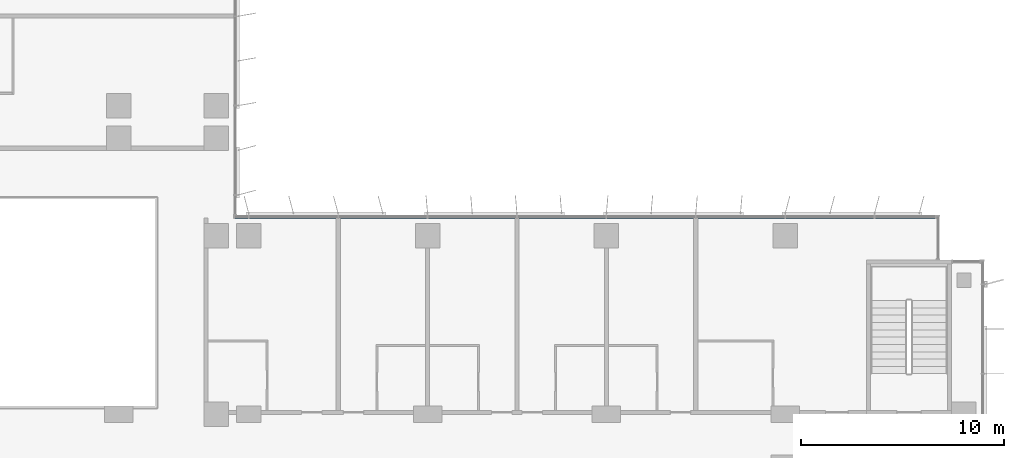
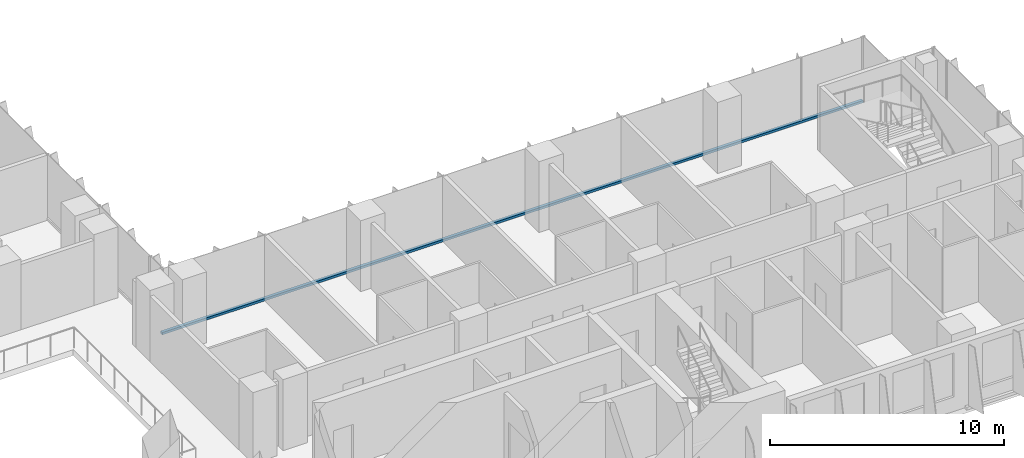
# One storey, part 3 of 23: 1 member, 1 element without a shape of its own.
"""IFC4 building model written with IfcOpenShell, lengths in metres."""

from ifc_helpers import new_model, si_unit, direction, frame, origin, origin_2d, place, context, subcontext, project, spatial, rectangle, extrude, material, material_profile, profile_set, type_object, element, aggregate, save


model = new_model("IFC4")

# Units and contexts
model_context = context("Model", 3, precision=1e-05, world=origin(), true_north=direction((0.0, 1.0)))
body_context = subcontext(model_context, "Body", "Model", "MODEL_VIEW")
ifc_project = project(units=[si_unit("LENGTHUNIT", "METRE"), si_unit("AREAUNIT", "SQUARE_METRE"), si_unit("VOLUMEUNIT", "CUBIC_METRE"), si_unit("PLANEANGLEUNIT", "RADIAN"), si_unit("MASSUNIT", "GRAM", prefix="KILO")], contexts=[model_context])

# Site, building, storey
site_placement = place(None, origin())
site = spatial("IfcSite", under=ifc_project, at=site_placement, CompositionType="ELEMENT")
building_placement = place(site_placement, origin())
building = spatial("IfcBuilding", under=site, at=building_placement, Name="Kemantara Hotel Tower", CompositionType="ELEMENT")
storey_placement = place(building_placement, frame((0.0, 0.0, 118.5)))
storey = spatial("IfcBuildingStorey", under=building, at=storey_placement, Name="L28", CompositionType="ELEMENT", Elevation=118.5)

# Curtain wall, member
ifc_material_1 = material(Name="Low-E tinted double insulated glass 36 mm", Category="glass")
curtain_wall_type = type_object("IfcCurtainWallType", Name="TOWER CURTAIN WALL, FRONT FACES", PredefinedType="USERDEFINED", material=ifc_material_1)
curtain_wall_placement = place(storey_placement, origin())
curtain_wall = element("IfcCurtainWall", 1, at=curtain_wall_placement, inside=storey, type_object=curtain_wall_type, Name="CW4 L28 T2-R13-1", ObjectType="TOWER CURTAIN WALL, FRONT FACES", PredefinedType="USERDEFINED")
ifc_material_2 = material(Name="Aluminium 6063-T6 bronze anodised", Category="aluminium")
ifc_material_profile = material_profile(ifc_material_2, rectangle(XDim=0.14990234375, YDim=0.1201171875, at=origin_2d()), Name="TOWER CURTAIN WALL, FRONT FACES TRANSOM")
ifc_profile_set = profile_set([ifc_material_profile], Name="Aluminium 6063-T6 bronze anodised")
member_type = type_object("IfcMemberType", Name="TOWER CURTAIN WALL, FRONT FACES TRANSOM", PredefinedType="USERDEFINED", material=ifc_profile_set)
member_placement = place(storey_placement, frame((61.25, 21.925048828125, 0.06005859375), z_axis=(-1.0, 0.0, 0.0), x_axis=(0.0, -1.0, 0.0)))
member = element("IfcMember", 2, at=member_placement, type_object=member_type, Name="CW4 sill transom T2-R13-1", ObjectType="TRANSOM", PredefinedType="USERDEFINED", context=body_context, shape_type="SweptSolid", body=[
    extrude(rectangle(XDim=0.14990234375, YDim=0.1201171875, at=origin_2d()), origin(), (0.0, 0.0, 1.0), 34.60009765625),
])
aggregate(curtain_wall, [member])

save(model, "model.ifc")
